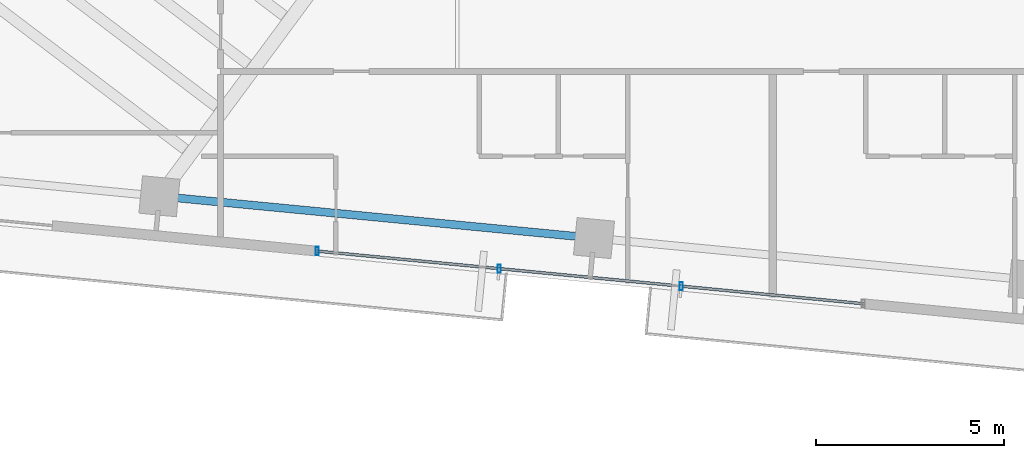
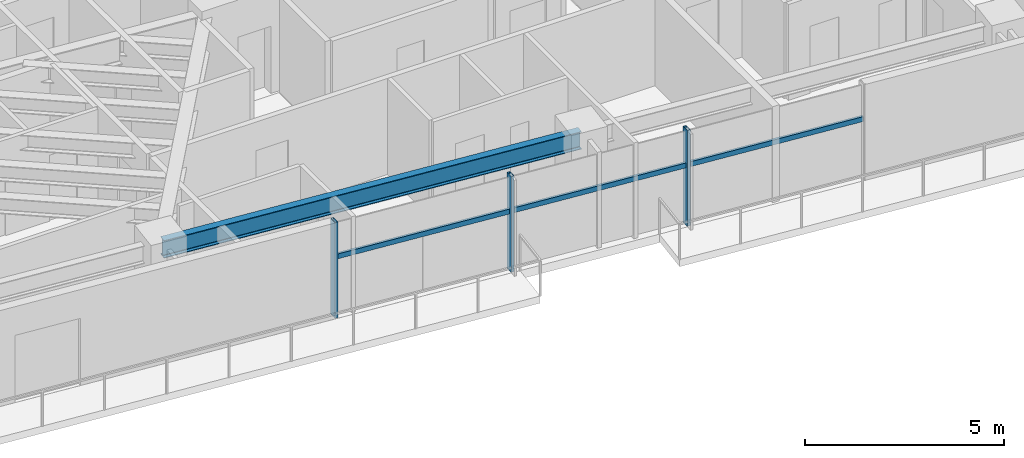
# One storey, part 4 of 20: 6 members, 1 beam, 1 element without a shape of its own.
"""IFC4 building model written with IfcOpenShell, lengths in metres."""

import ifcopenshell
import ifcopenshell.guid

model = None  # the IFC model being written
_history = None  # IfcOwnerHistory: only IFC2X3 demands one
_inside = {}  # id of a spatial element -> (the spatial element, [elements in it])
_under = {}  # id of a project, library or spatial element -> (it, [spatial elements below it])
_declared = {}  # id of a project -> (the project, [libraries it declares])
_typed = {}  # id of a type object -> (the type object, [elements of that type])
_made_of = {}  # id of a material, layer set ... -> (it, [elements and type objects made of it])


def new_model(schema):
    """Start an empty IFC model of exactly this schema.

    Asked for "IFC4X3", IfcOpenShell would pick the latest addendum, in which some entities
    have other attributes; the version numbers below select the first issue.
    IFC2X3 requires an IfcOwnerHistory on every rooted entity: one is made here for all.
    """
    global model, _history
    if schema == "IFC4X3":
        model = ifcopenshell.file(schema_version=(4, 3, 0, 0))
    else:
        model = ifcopenshell.file(schema=schema)
    _inside.clear()
    _under.clear()
    _declared.clear()
    _typed.clear()
    _made_of.clear()
    _history = None
    if model.schema == "IFC2X3":
        org = make("IfcOrganization", Name="unknown")
        user = make(
            "IfcPersonAndOrganization",
            ThePerson=make("IfcPerson", FamilyName="unknown"),
            TheOrganization=org,
        )
        app = make(
            "IfcApplication",
            ApplicationDeveloper=org,
            Version="unknown",
            ApplicationFullName="unknown",
            ApplicationIdentifier="unknown",
        )
        _history = make(
            "IfcOwnerHistory",
            OwningUser=user,
            OwningApplication=app,
            ChangeAction="ADDED",
            CreationDate=0,
        )
    return model


def make(cls, **values):
    """One entity of the class cls with the attributes given. An attribute that is None is left unset."""
    return model.create_entity(
        cls, **{name: value for name, value in values.items() if value is not None}
    )


def rooted(cls, **values):
    """An entity with a GlobalId (a new one), such as an element, a storey or a relation."""
    return make(cls, GlobalId=ifcopenshell.guid.new(), OwnerHistory=_history, **values)


def si_unit(unit_type, name, prefix=None):
    """IfcSIUnit, for example si_unit("LENGTHUNIT", "METRE", prefix="MILLI")."""
    return make("IfcSIUnit", UnitType=unit_type, Prefix=prefix, Name=name)


def assignment(units):
    """IfcUnitAssignment: the units of a project."""
    return None if units is None else make("IfcUnitAssignment", Units=units)


def point(xyz):
    """IfcCartesianPoint."""
    return None if xyz is None else make("IfcCartesianPoint", Coordinates=xyz)


def direction(xyz):
    """IfcDirection."""
    return None if xyz is None else make("IfcDirection", DirectionRatios=xyz)


def frame(location, z_axis=None, x_axis=None):
    """IfcAxis2Placement3D, a coordinate frame: its origin and axes. An axis left out is left unset."""
    return make(
        "IfcAxis2Placement3D",
        Location=point(location),
        Axis=direction(z_axis),
        RefDirection=direction(x_axis),
    )


def frame_2d(location, x_axis=None):
    """IfcAxis2Placement2D, a coordinate frame in the plane: its origin and x axis."""
    return make(
        "IfcAxis2Placement2D", Location=point(location), RefDirection=direction(x_axis)
    )


def origin():
    """The frame at (0, 0, 0) with its axes left unset."""
    return frame((0.0, 0.0, 0.0))


def origin_2d():
    """The frame at (0, 0) in the plane with its x axis left unset."""
    return frame_2d((0.0, 0.0))


def place(relative_to, where):
    """IfcLocalPlacement: puts the frame where relative to a parent placement (None: the world)."""
    return make(
        "IfcLocalPlacement", PlacementRelTo=relative_to, RelativePlacement=where
    )


def context(
    kind, dimensions, precision=None, world=None, true_north=None, identifier=None
):
    """IfcGeometricRepresentationContext, for example the 3D "Model" context."""
    return make(
        "IfcGeometricRepresentationContext",
        ContextIdentifier=identifier,
        ContextType=kind,
        CoordinateSpaceDimension=dimensions,
        Precision=precision,
        WorldCoordinateSystem=world,
        TrueNorth=true_north,
    )


def subcontext(parent, identifier, kind, view, scale=None):
    """IfcGeometricRepresentationSubContext, for example "Body" below "Model"."""
    return make(
        "IfcGeometricRepresentationSubContext",
        ContextIdentifier=identifier,
        ContextType=kind,
        ParentContext=parent,
        TargetScale=scale,
        TargetView=view,
    )


def project(units=None, contexts=None):
    """IfcProject with its units and contexts."""
    return rooted(
        "IfcProject",
        Name="project",
        RepresentationContexts=contexts,
        UnitsInContext=assignment(units),
    )


def spatial(cls, under=None, at=None, **own):
    """A site, building, storey or space (cls), placed at a placement, below another one or the project."""
    s = rooted(cls, ObjectPlacement=at, **own)
    if under is not None:
        _under.setdefault(under.id(), (under, []))[1].append(s)
    return s


def profile(cls, at=None, kind="AREA", **sizes):
    """A parametric profile (cls). Its sizes go by their IFC names, for example OverallWidth=200.0."""
    return make(cls, ProfileType=kind, Position=at, **sizes)


def hollow_rectangle(**sizes):
    """IfcRectangleHollowProfileDef."""
    return profile("IfcRectangleHollowProfileDef", **sizes)


def i_section(**sizes):
    """IfcIShapeProfileDef."""
    return profile("IfcIShapeProfileDef", **sizes)


def extrude(swept, where, along, depth):
    """IfcExtrudedAreaSolid: the profile swept, set in the frame where, extruded along a direction by depth."""
    return make(
        "IfcExtrudedAreaSolid",
        SweptArea=swept,
        Position=where,
        ExtrudedDirection=direction(along),
        Depth=depth,
    )


def shape(context_of_items, identifier, shape_type, items):
    """IfcShapeRepresentation: the items that make up one representation, for example the "Body"."""
    return make(
        "IfcShapeRepresentation",
        ContextOfItems=context_of_items,
        RepresentationIdentifier=identifier,
        RepresentationType=shape_type,
        Items=items,
    )


def source(mapping_origin, context_of_items, identifier, shape_type, items):
    """IfcRepresentationMap: a shape defined once, which mapped items show again and again."""
    return make(
        "IfcRepresentationMap",
        MappingOrigin=mapping_origin,
        MappedRepresentation=shape(context_of_items, identifier, shape_type, items),
    )


def transform(
    local_origin,
    x_axis=None,
    y_axis=None,
    z_axis=None,
    scale=None,
    scale2=None,
    scale3=None,
    uniform=True,
):
    """IfcCartesianTransformationOperator3D, or its non-uniform kind. x_axis, y_axis, z_axis: its Axis1, 2, 3."""
    if uniform:
        return make(
            "IfcCartesianTransformationOperator3D",
            Axis1=direction(x_axis),
            Axis2=direction(y_axis),
            LocalOrigin=point(local_origin),
            Scale=scale,
            Axis3=direction(z_axis),
        )
    return make(
        "IfcCartesianTransformationOperator3DnonUniform",
        Axis1=direction(x_axis),
        Axis2=direction(y_axis),
        LocalOrigin=point(local_origin),
        Scale=scale,
        Axis3=direction(z_axis),
        Scale2=scale2,
        Scale3=scale3,
    )


def mapped(mapping_source, mapping_target):
    """IfcMappedItem: shows the shape of a source again, moved by a transform."""
    return make(
        "IfcMappedItem", MappingSource=mapping_source, MappingTarget=mapping_target
    )


def material(Name=None, Category=None):
    """IfcMaterial."""
    return make("IfcMaterial", Name=Name, Category=Category)


def material_profile(
    of_material, cross_section, Name=None, Category=None, Priority=None
):
    """IfcMaterialProfile: a cross section and its material."""
    return make(
        "IfcMaterialProfile",
        Name=Name,
        Material=of_material,
        Profile=cross_section,
        Priority=Priority,
        Category=Category,
    )


def profile_set(profiles, Name=None, composite=None):
    """IfcMaterialProfileSet."""
    return make(
        "IfcMaterialProfileSet",
        Name=Name,
        MaterialProfiles=profiles,
        CompositeProfile=composite,
    )


def made_of(thing, what):
    """Note that an element or type object is made of a material, layer set ...; save() writes the relation."""
    if what is not None:
        _made_of.setdefault(what.id(), (what, []))[1].append(thing)
    return thing


def type_object(cls, material=None, **own):
    """A type object (cls), such as IfcWallType, which elements share."""
    return made_of(rooted(cls, **own), material)


def type_shapes(of_type, sources):
    """Give a type object the sources (RepresentationMaps) that its elements show as mapped items."""
    of_type.RepresentationMaps = sources


def element(
    cls,
    number,
    at=None,
    inside=None,
    cuts=None,
    type_object=None,
    material=None,
    context=None,
    identifier="Body",
    shape_type=None,
    held_by="IfcProductDefinitionShape",
    body=None,
    shapes=None,
    **own,
):
    """One element of the class cls, such as IfcWall. Its Tag is "e" and its number.

    at: its placement. inside: the storey or other place that contains it. cuts: it is an
    opening in that element (IfcRelVoidsElement). A single representation is given by context,
    identifier, shape_type and body (its items); several are given by shapes. held_by: the class
    of the entity that holds the representations. save() writes the other relations.
    """
    e = rooted(cls, Tag="e%d" % number, ObjectPlacement=at, **own)
    if body is not None:
        shapes = [shape(context, identifier, shape_type, body)]
    if shapes is not None:
        e.Representation = make(held_by, Representations=shapes)
    if inside is not None:
        _inside.setdefault(inside.id(), (inside, []))[1].append(e)
    if cuts is not None:
        rooted(
            "IfcRelVoidsElement", RelatingBuildingElement=cuts, RelatedOpeningElement=e
        )
    if type_object is not None:
        _typed.setdefault(type_object.id(), (type_object, []))[1].append(e)
    return made_of(e, material)


def aggregate(whole, parts):
    """IfcRelAggregates: a whole, such as a stair, and the parts it consists of."""
    return rooted("IfcRelAggregates", RelatingObject=whole, RelatedObjects=parts)


def save(model, path):
    """Write the relations noted so far, then the file.

    IfcRelAggregates (storeys below a building ...), IfcRelContainedInSpatialStructure (elements
    in a storey), IfcRelDefinesByType, IfcRelAssociatesMaterial and IfcRelDeclares: one each for
    every whole, place, type object, material and project.
    """
    for whole, parts in _under.values():
        aggregate(whole, parts)
    for where, things in _inside.values():
        rooted(
            "IfcRelContainedInSpatialStructure",
            RelatedElements=things,
            RelatingStructure=where,
        )
    for kind, things in _typed.values():
        rooted("IfcRelDefinesByType", RelatedObjects=things, RelatingType=kind)
    for what, things in _made_of.values():
        rooted("IfcRelAssociatesMaterial", RelatedObjects=things, RelatingMaterial=what)
    for by, libraries in _declared.values():
        rooted("IfcRelDeclares", RelatingContext=by, RelatedDefinitions=libraries)
    model.write(path)


model = new_model("IFC4")

# Units and contexts
model_context = context("Model", 3, precision=1e-05, world=origin(), true_north=direction((0.0, 1.0)))
body_context = subcontext(model_context, "Body", "Model", "MODEL_VIEW")
ifc_project = project(units=[si_unit("LENGTHUNIT", "METRE"), si_unit("AREAUNIT", "SQUARE_METRE"), si_unit("VOLUMEUNIT", "CUBIC_METRE"), si_unit("PLANEANGLEUNIT", "RADIAN"), si_unit("MASSUNIT", "GRAM", prefix="KILO")], contexts=[model_context])

# Site, building, storey
site_placement = place(None, origin())
site = spatial("IfcSite", under=ifc_project, at=site_placement, CompositionType="ELEMENT")
building_placement = place(site_placement, origin())
building = spatial("IfcBuilding", under=site, at=building_placement, Name="Astriad Promenade Condominiums", CompositionType="ELEMENT")
storey_placement = place(building_placement, frame((0.0, 0.0, 134.199951171875)))
storey = spatial("IfcBuildingStorey", under=building, at=storey_placement, Name="L38", CompositionType="ELEMENT", Elevation=134.199951171875)

# Beam
ifc_material_1 = material(Name="Steel ASTM A992 Grade 50", Category="steel")
ifc_material_profile_1 = material_profile(ifc_material_1, i_section(OverallWidth=0.210693359375, OverallDepth=0.53955078125, WebThickness=0.01171875, FlangeThickness=0.018798828125, FilletRadius=0.0166015625, at=origin_2d()), Name="W21X73")
ifc_profile_set_1 = profile_set([ifc_material_profile_1], Name="Steel ASTM A992 Grade 50")
beam_type = type_object("IfcBeamType", Name="STEEL SPANDREL BEAM W21X73", PredefinedType="SPANDREL", material=ifc_profile_set_1)
shared_shape_1 = source(origin(), body_context, "Body", "SweptSolid", [
    extrude(i_section(OverallWidth=0.210693359375, OverallDepth=0.53955078125, WebThickness=0.01171875, FlangeThickness=0.018798828125, FilletRadius=0.0166015625, at=origin_2d()), origin(), (0.0, 0.0, 1.0), 11.52001953125),
])
type_shapes(beam_type, [shared_shape_1])
beam_placement = place(storey_placement, frame((20.467041015625, 9.32763671875, 2.670166015625), z_axis=(0.9953953902, -0.095854145285, 0.0), x_axis=(0.095854145285, 0.9953953902, 0.0)))
element("IfcBeam", 1, at=beam_placement, inside=storey, type_object=beam_type, Name="Perimeter Spandrel Beam SP-S2-L38", PredefinedType="SPANDREL", context=body_context, shape_type="MappedRepresentation", body=[
    mapped(shared_shape_1, transform((0.0, 0.0, 0.0), scale=1.0)),
])

# Curtain wall, members
ifc_material_2 = material(Name="Anodised aluminium Black Dark Glass Unitised", Category="aluminium")
curtain_wall_type = type_object("IfcCurtainWallType", Name="CW-B34-DARK", PredefinedType="USERDEFINED", material=ifc_material_2)
curtain_wall_placement = place(storey_placement, origin())
curtain_wall = element("IfcCurtainWall", 2, at=curtain_wall_placement, inside=storey, type_object=curtain_wall_type, Name="CW-L38-S", ObjectType="UNITISED_CURTAIN_WALL", PredefinedType="USERDEFINED")
ifc_material_3 = material(Name="Anodised aluminium 6063-T6 Black", Category="aluminium")
ifc_material_profile_2 = material_profile(ifc_material_3, hollow_rectangle(XDim=0.0849609375, YDim=0.219970703125, WallThickness=0.0048828125, at=origin_2d()), Name="ALU-MUL-85X220")
ifc_profile_set_2 = profile_set([ifc_material_profile_2], Name="Anodised aluminium 6063-T6 Black")
member_type_1 = type_object("IfcMemberType", Name="MUL-ALU-MUL-85X220", PredefinedType="MULLION", material=ifc_profile_set_2)
shared_shape_2 = source(origin(), body_context, "Body", "SweptSolid", [
    extrude(hollow_rectangle(XDim=0.0849609375, YDim=0.219970703125, WallThickness=0.0048828125, at=origin_2d()), origin(), (0.0, 0.0, 1.0), 2.93994140625),
])
type_shapes(member_type_1, [shared_shape_2])
member_1_placement = place(storey_placement, frame((34.2919921875, 6.941650390625, 0.0), z_axis=(0.0, 0.0, 1.0), x_axis=(1.0, 0.0, 0.0)))
member_1 = element("IfcMember", 3, at=member_1_placement, type_object=member_type_1, Name="CW-L38-S-MUL-01", PredefinedType="MULLION", context=body_context, shape_type="MappedRepresentation", body=[
    mapped(shared_shape_2, transform((0.0, 0.0, 0.0), scale=1.0)),
])
member_2_placement = place(storey_placement, frame((29.454345703125, 7.407470703125, 0.0), z_axis=(0.0, 0.0, 1.0), x_axis=(1.0, 0.0, 0.0)))
member_2 = element("IfcMember", 4, at=member_2_placement, type_object=member_type_1, Name="CW-L38-S-MUL-02", PredefinedType="MULLION", context=body_context, shape_type="MappedRepresentation", body=[
    mapped(shared_shape_2, transform((0.0, 0.0, 0.0), scale=1.0)),
])
member_3_placement = place(storey_placement, frame((24.61669921875, 7.873291015625, 0.0), z_axis=(0.0, 0.0, 1.0), x_axis=(1.0, 0.0, 0.0)))
member_3 = element("IfcMember", 5, at=member_3_placement, type_object=member_type_1, Name="CW-L38-S-MUL-03", PredefinedType="MULLION", context=body_context, shape_type="MappedRepresentation", body=[
    mapped(shared_shape_2, transform((0.0, 0.0, 0.0), scale=1.0)),
])
ifc_material_profile_3 = material_profile(ifc_material_3, hollow_rectangle(XDim=0.074951171875, YDim=0.14990234375, WallThickness=0.004150390625, at=origin_2d()), Name="ALU-TRN-75X150")
ifc_profile_set_3 = profile_set([ifc_material_profile_3], Name="Anodised aluminium 6063-T6 Black")
member_type_2 = type_object("IfcMemberType", Name="TRN-ALU-TRN-75X150", PredefinedType="USERDEFINED", material=ifc_profile_set_3)
shared_shape_3 = source(origin(), body_context, "Body", "SweptSolid", [
    extrude(hollow_rectangle(XDim=0.074951171875, YDim=0.14990234375, WallThickness=0.004150390625, at=origin_2d()), origin(), (0.0, 0.0, 1.0), 4.860107421875),
])
type_shapes(member_type_2, [shared_shape_3])
member_4_placement = place(storey_placement, frame((39.129638671875, 6.475830078125, 1.82275390625), z_axis=(-0.995396042559, 0.095847370639, 0.0), x_axis=(-0.095847370639, -0.995396042559, 0.0)))
member_4 = element("IfcMember", 6, at=member_4_placement, type_object=member_type_2, Name="CW-L38-S-TRN-00-0", ObjectType="TRANSOM", PredefinedType="USERDEFINED", context=body_context, shape_type="MappedRepresentation", body=[
    mapped(shared_shape_3, transform((0.0, 0.0, 0.0), scale=1.0)),
])
member_5_placement = place(storey_placement, frame((34.2919921875, 6.941650390625, 1.82275390625), z_axis=(-0.995396042559, 0.095847370639, 0.0), x_axis=(-0.095847370639, -0.995396042559, 0.0)))
member_5 = element("IfcMember", 7, at=member_5_placement, type_object=member_type_2, Name="CW-L38-S-TRN-01-0", ObjectType="TRANSOM", PredefinedType="USERDEFINED", context=body_context, shape_type="MappedRepresentation", body=[
    mapped(shared_shape_3, transform((0.0, 0.0, 0.0), scale=1.0)),
])
member_6_placement = place(storey_placement, frame((29.454345703125, 7.407470703125, 1.82275390625), z_axis=(-0.995396042559, 0.095847370639, 0.0), x_axis=(-0.095847370639, -0.995396042559, 0.0)))
member_6 = element("IfcMember", 8, at=member_6_placement, type_object=member_type_2, Name="CW-L38-S-TRN-02-0", ObjectType="TRANSOM", PredefinedType="USERDEFINED", context=body_context, shape_type="MappedRepresentation", body=[
    mapped(shared_shape_3, transform((0.0, 0.0, 0.0), scale=1.0)),
])
aggregate(curtain_wall, [member_1, member_2, member_3, member_4, member_5, member_6])

save(model, "model.ifc")
